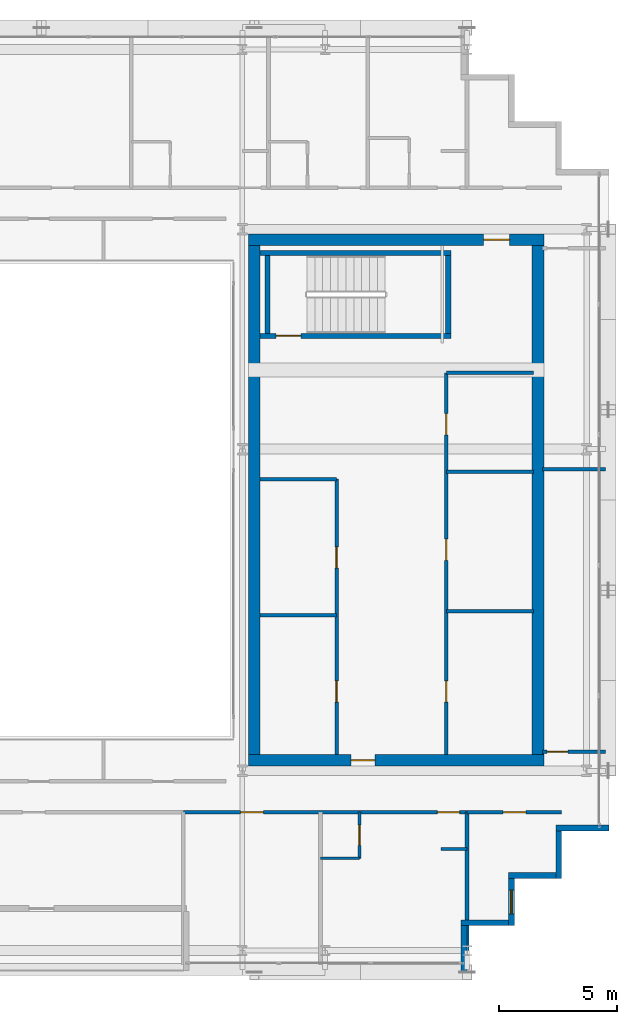
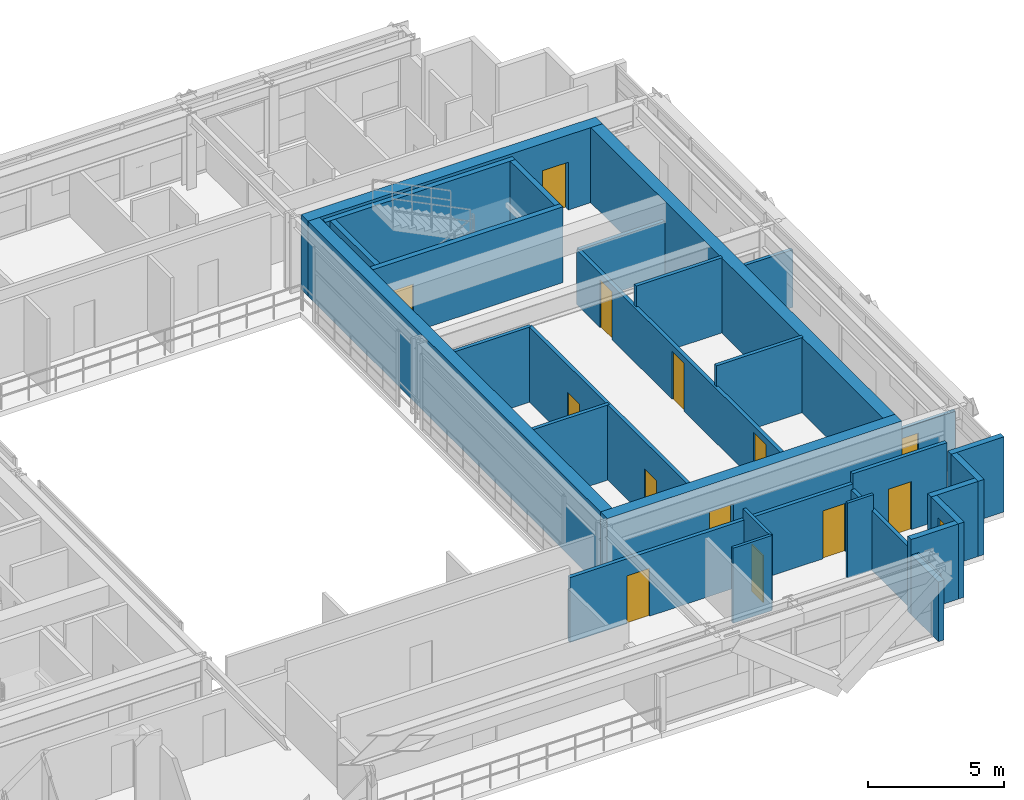
# One storey, part 31 of 37: 29 walls, 13 doors, 1 window, 14 openings.
"""IFC4 building model written with IfcOpenShell, lengths in metres."""

from ifc_helpers import new_model, si_unit, direction, frame, frame_2d, origin, place, context, subcontext, project, spatial, rectangle, extrude, source, transform, mapped, material, layer, layer_set, type_object, element, fill, save


model = new_model("IFC4")

# Units and contexts
model_context = context("Model", 3, precision=1e-05, world=origin(), true_north=direction((0.0, 1.0)))
body_context = subcontext(model_context, "Body", "Model", "MODEL_VIEW")
ifc_project = project(units=[si_unit("LENGTHUNIT", "METRE"), si_unit("AREAUNIT", "SQUARE_METRE"), si_unit("VOLUMEUNIT", "CUBIC_METRE"), si_unit("PLANEANGLEUNIT", "RADIAN"), si_unit("MASSUNIT", "GRAM", prefix="KILO")], contexts=[model_context])

# Site, building, storey
site_placement = place(None, origin())
site = spatial("IfcSite", under=ifc_project, at=site_placement, CompositionType="ELEMENT")
building_placement = place(site_placement, origin())
building = spatial("IfcBuilding", under=site, at=building_placement, Name="Ocotamira Hotel", CompositionType="ELEMENT")
storey_placement = place(building_placement, frame((0.0, 0.0, 192.0)))
storey = spatial("IfcBuildingStorey", under=building, at=storey_placement, Name="L48", CompositionType="ELEMENT", Elevation=192.0)

# Wall, opening, door
ifc_material_1 = material(Name="Concrete C50/60", Category="concrete")
ifc_layer_1 = layer(ifc_material_1, 0.5)
ifc_layer_set_1 = layer_set([ifc_layer_1], Name="Concrete C50/60")
wall_type_1 = type_object("IfcWallType", Name="WL-CORE-500", PredefinedType="SHEAR", material=ifc_layer_set_1)
wall_1_placement = place(storey_placement, frame((40.75, 15.0, 0.0), z_axis=(0.0, 0.0, 1.0), x_axis=(1.0, 0.0, 0.0)))
wall_1 = element("IfcWall", 1, at=wall_1_placement, inside=storey, type_object=wall_type_1, Name="L48 Shear Core Wall ECORE-S", PredefinedType="SHEAR", context=body_context, shape_type="SweptSolid", body=[
    extrude(rectangle(XDim=12.5, YDim=0.5, at=frame_2d((6.25, 0.0))), origin(), (0.0, 0.0, 1.0), 3.3701171875),
])
opening_1_placement = place(wall_1_placement, frame((4.35009765625, 0.0, 0.0)))
opening_1 = element("IfcOpeningElement", 2, at=opening_1_placement, cuts=wall_1, Name="Opening D-FR2", PredefinedType="OPENING", context=body_context, shape_type="SweptSolid", body=[
    extrude(rectangle(XDim=1.0, YDim=2.14990234375, at=frame_2d((0.5, 1.074951171875))), frame((0.0, 0.260009765625, 0.0), z_axis=(0.0, -1.0, 0.0), x_axis=(1.0, 0.0, 0.0)), (0.0, 0.0, 1.0), 0.52001953125),
])
ifc_material_2 = material(Name="Fire-rated acoustic timber-veneer door", Category="wood")
door_type_1 = type_object("IfcDoorType", Name="DR-FIRE-1000", OperationType="NOTDEFINED", PredefinedType="DOOR", material=ifc_material_2)
shared_shape_1 = source(origin(), body_context, "Body", "SweptSolid", [
    extrude(rectangle(XDim=1.0, YDim=2.14990234375, at=frame_2d((0.5, 1.074951171875))), frame((0.0, 0.02490234375, 0.0), z_axis=(0.0, -1.0, 0.0), x_axis=(1.0, 0.0, 0.0)), (0.0, 0.0, 1.0), 0.050048828125),
])
door_1_placement = place(opening_1_placement, origin())
door_1 = element("IfcDoor", 3, at=door_1_placement, inside=storey, type_object=door_type_1, Name="L48 Door ID-L48-ELOB-S-D [ID-L48-ELOB-S-D]", OperationType="SINGLE_SWING_RIGHT", OverallHeight=2.14990234375, OverallWidth=1.0, PredefinedType="DOOR", context=body_context, shape_type="MappedRepresentation", body=[
    mapped(shared_shape_1, transform((0.0, 0.0, 0.0), scale=1.0)),
])
fill(opening_1, door_1)

wall_2_placement = place(storey_placement, frame((40.75, 37.0, 0.0), z_axis=(0.0, 0.0, 1.0), x_axis=(1.0, 0.0, 0.0)))
wall_2 = element("IfcWall", 4, at=wall_2_placement, inside=storey, type_object=wall_type_1, Name="L48 Shear Core Wall ECORE-N", PredefinedType="SHEAR", context=body_context, shape_type="SweptSolid", body=[
    extrude(rectangle(XDim=12.5, YDim=0.5, at=frame_2d((6.25, 0.0))), origin(), (0.0, 0.0, 1.0), 3.3701171875),
])
opening_2_placement = place(wall_2_placement, frame((9.949951171875, 0.0, 0.0)))
opening_2 = element("IfcOpeningElement", 5, at=opening_2_placement, cuts=wall_2, Name="Opening D-FR1", PredefinedType="OPENING", context=body_context, shape_type="SweptSolid", body=[
    extrude(rectangle(XDim=1.10009765625, YDim=2.14990234375, at=frame_2d((0.550048828125, 1.074951171875))), frame((0.0, 0.260009765625, 0.0), z_axis=(0.0, -1.0, 0.0), x_axis=(1.0, 0.0, 0.0)), (0.0, 0.0, 1.0), 0.52001953125),
])
door_type_2 = type_object("IfcDoorType", Name="DR-FIRE-1100", OperationType="NOTDEFINED", PredefinedType="DOOR", material=ifc_material_2)
shared_shape_2 = source(origin(), body_context, "Body", "SweptSolid", [
    extrude(rectangle(XDim=1.10009765625, YDim=2.14990234375, at=frame_2d((0.550048828125, 1.074951171875))), frame((0.0, 0.02490234375, 0.0), z_axis=(0.0, -1.0, 0.0), x_axis=(1.0, 0.0, 0.0)), (0.0, 0.0, 1.0), 0.050048828125),
])
door_2_placement = place(opening_2_placement, origin())
door_2 = element("IfcDoor", 6, at=door_2_placement, inside=storey, type_object=door_type_2, Name="L48 Door ID-L48-ELOB-N-D [ID-L48-ELOB-N-D]", OperationType="SINGLE_SWING_LEFT", OverallHeight=2.14990234375, OverallWidth=1.10009765625, PredefinedType="DOOR", context=body_context, shape_type="MappedRepresentation", body=[
    mapped(shared_shape_2, transform((0.0, 0.0, 0.0), scale=1.0)),
])
fill(opening_2, door_2)

# Walls
for number, where, z_axis, x_axis, name in (
    (7, (41.0, 15.25, 0.0), (0.0, 0.0, 1.0), (0.0, 1.0, 0.0), "L48 Shear Core Wall ECORE-W"),
    (8, (53.0, 15.25, 0.0), (0.0, 0.0, 1.0), (0.0, 1.0, 0.0), "L48 Shear Core Wall ECORE-E"),
):
    element("IfcWall", number, at=place(storey_placement, frame(where, z_axis=z_axis, x_axis=x_axis)), inside=storey, type_object=wall_type_1, Name=name, PredefinedType="SHEAR", context=body_context, shape_type="SweptSolid", body=[
        extrude(rectangle(XDim=21.5, YDim=0.5, at=frame_2d((10.75, 0.0))), origin(), (0.0, 0.0, 1.0), 3.3701171875),
    ])
ifc_material_3 = material(Name="Precast concrete C45/55", Category="concrete")
ifc_layer_2 = layer(ifc_material_3, 0.25)
ifc_layer_set_2 = layer_set([ifc_layer_2], Name="Precast concrete C45/55")
wall_type_2 = type_object("IfcWallType", Name="WL-EXT-SER-250", PredefinedType="SOLIDWALL", material=ifc_layer_set_2)
wall_3_placement = place(storey_placement, frame((49.875, 6.0, 0.0), z_axis=(0.0, 0.0, 1.0), x_axis=(0.0, 1.0, 0.0)))
element("IfcWall", 9, at=wall_3_placement, inside=storey, type_object=wall_type_2, Name="L48 Serrated Corner Wall 01", PredefinedType="SOLIDWALL", context=body_context, shape_type="SweptSolid", body=[
    extrude(rectangle(XDim=2.0, YDim=0.25, at=frame_2d((1.0, 0.0))), origin(), (0.0, 0.0, 1.0), 2.677001953125),
])
wall_4_placement = place(storey_placement, frame((49.75, 8.125, 0.0), z_axis=(0.0, 0.0, 1.0), x_axis=(1.0, 0.0, 0.0)))
element("IfcWall", 10, at=wall_4_placement, inside=storey, type_object=wall_type_2, Name="L48 Serrated Corner Wall 02", PredefinedType="SOLIDWALL", context=body_context, shape_type="SweptSolid", body=[
    extrude(rectangle(XDim=2.0, YDim=0.25, at=frame_2d((1.0, 0.0))), origin(), (0.0, 0.0, 1.0), 3.3701171875),
])

# Wall, opening, window
wall_5_placement = place(storey_placement, frame((51.875, 8.0, 0.0), z_axis=(0.0, 0.0, 1.0), x_axis=(0.0, 1.0, 0.0)))
wall_5 = element("IfcWall", 11, at=wall_5_placement, inside=storey, type_object=wall_type_2, Name="L48 Serrated Corner Wall 03", PredefinedType="SOLIDWALL", context=body_context, shape_type="SweptSolid", body=[
    extrude(rectangle(XDim=2.0, YDim=0.25, at=frame_2d((1.0, 0.0))), origin(), (0.0, 0.0, 1.0), 3.3701171875),
])
opening_3_placement = place(wall_5_placement, frame((0.5, 0.0, 0.85009765625)))
opening_3 = element("IfcOpeningElement", 12, at=opening_3_placement, cuts=wall_5, Name="Opening WN-2", PredefinedType="OPENING", context=body_context, shape_type="SweptSolid", body=[
    extrude(rectangle(XDim=1.0, YDim=1.89990234375, at=frame_2d((0.5, 0.949951171875))), frame((0.0, 0.135009765625, 0.0), z_axis=(0.0, -1.0, 0.0), x_axis=(1.0, 0.0, 0.0)), (0.0, 0.0, 1.0), 0.27001953125),
])
ifc_material_4 = material(Name="Double-silver low-E solar glass", Category="glass")
window_type = type_object("IfcWindowType", Name="WIN-SER-1100", PartitioningType="SINGLE_PANEL", PredefinedType="WINDOW", material=ifc_material_4)
shared_shape_3 = source(origin(), body_context, "Body", "SweptSolid", [
    extrude(rectangle(XDim=1.0, YDim=1.89990234375, at=frame_2d((0.5, 0.949951171875))), frame((0.0, 0.030029296875, 0.0), z_axis=(0.0, -1.0, 0.0), x_axis=(1.0, 0.0, 0.0)), (0.0, 0.0, 1.0), 0.06005859375),
])
window_placement = place(opening_3_placement, origin())
window = element("IfcWindow", 13, at=window_placement, inside=storey, type_object=window_type, Name="L48 Serrated Corner Window 03", OverallHeight=1.89990234375, OverallWidth=1.0, PartitioningType="SINGLE_PANEL", PredefinedType="WINDOW", context=body_context, shape_type="MappedRepresentation", body=[
    mapped(shared_shape_3, transform((0.0, 0.0, 0.0), scale=1.0)),
])
fill(opening_3, window)

# Walls
for number, where, z_axis, x_axis, name in (
    (14, (51.75, 10.125, 0.0), (0.0, 0.0, 1.0), (1.0, 0.0, 0.0), "L48 Serrated Corner Wall 04"),
    (15, (53.875, 10.0, 0.0), (0.0, 0.0, 1.0), (0.0, 1.0, 0.0), "L48 Serrated Corner Wall 05"),
):
    element("IfcWall", number, at=place(storey_placement, frame(where, z_axis=z_axis, x_axis=x_axis)), inside=storey, type_object=wall_type_2, Name=name, PredefinedType="SOLIDWALL", context=body_context, shape_type="SweptSolid", body=[
        extrude(rectangle(XDim=2.0, YDim=0.25, at=frame_2d((1.0, 0.0))), origin(), (0.0, 0.0, 1.0), 3.3701171875),
    ])
wall_6_placement = place(storey_placement, frame((53.75, 12.125, 0.0), z_axis=(0.0, 0.0, 1.0), x_axis=(1.0, 0.0, 0.0)))
element("IfcWall", 16, at=wall_6_placement, inside=storey, type_object=wall_type_2, Name="L48 Serrated Corner Wall 06", PredefinedType="SOLIDWALL", context=body_context, shape_type="SweptSolid", body=[
    extrude(rectangle(XDim=2.25, YDim=0.25, at=frame_2d((1.125, 0.0))), origin(), (0.0, 0.0, 1.0), 3.3701171875),
])
ifc_material_5 = material(Name="Acoustic double-layer fire gypsum board partition", Category="gypsum")
ifc_layer_3 = layer(ifc_material_5, 0.159912109375)
ifc_layer_set_3 = layer_set([ifc_layer_3], Name="Acoustic double-layer fire gypsum board partition")
wall_type_3 = type_object("IfcWallType", Name="WL-FIRE-160", PredefinedType="PARTITIONING", material=ifc_layer_set_3)
wall_7_placement = place(storey_placement, frame((49.1201171875, 31.3798828125, 0.0), z_axis=(0.0, 0.0, 1.0), x_axis=(1.0, 0.0, 0.0)))
element("IfcWall", 17, at=wall_7_placement, inside=storey, type_object=wall_type_3, Name="L48 Interior Wall PW-L48-EC-FLOW-N", PredefinedType="PARTITIONING", context=body_context, shape_type="SweptSolid", body=[
    extrude(rectangle(XDim=3.679931640625, YDim=0.159912109375, at=frame_2d((1.83984375, 0.0))), origin(), (0.0, 0.0, 1.0), 2.469970703125),
])

# Wall, openings, doors
wall_8_placement = place(storey_placement, frame((49.1201171875, 15.25, 0.0), z_axis=(0.0, 0.0, 1.0), x_axis=(0.0, 1.0, 0.0)))
wall_8 = element("IfcWall", 18, at=wall_8_placement, inside=storey, type_object=wall_type_3, Name="L48 Interior Wall PW-L48-EC-FLOW-W", PredefinedType="PARTITIONING", context=body_context, shape_type="SweptSolid", body=[
    extrude(rectangle(XDim=16.1298828125, YDim=0.159912109375, at=frame_2d((8.06494140625, 0.0))), origin(), (0.0, 0.0, 1.0), 2.443115234375),
])
opening_4_placement = place(wall_8_placement, frame((2.199951171875, 0.0, 0.0)))
opening_4 = element("IfcOpeningElement", 19, at=opening_4_placement, cuts=wall_8, Name="Opening D-IN3", PredefinedType="OPENING", context=body_context, shape_type="SweptSolid", body=[
    extrude(rectangle(XDim=0.89990234375, YDim=2.14990234375, at=frame_2d((0.449951171875, 1.074951171875))), frame((0.0, 0.08984375, 0.0), z_axis=(0.0, -1.0, 0.0), x_axis=(1.0, 0.0, 0.0)), (0.0, 0.0, 1.0), 0.179931640625),
])
opening_5_placement = place(wall_8_placement, frame((8.199951171875, 0.0, 0.0)))
opening_5 = element("IfcOpeningElement", 20, at=opening_5_placement, cuts=wall_8, Name="Opening D-IN3", PredefinedType="OPENING", context=body_context, shape_type="SweptSolid", body=[
    extrude(rectangle(XDim=0.89990234375, YDim=2.14990234375, at=frame_2d((0.449951171875, 1.074951171875))), frame((0.0, 0.08984375, 0.0), z_axis=(0.0, -1.0, 0.0), x_axis=(1.0, 0.0, 0.0)), (0.0, 0.0, 1.0), 0.179931640625),
])
opening_6_placement = place(wall_8_placement, frame((13.5, 0.0, 0.0)))
opening_6 = element("IfcOpeningElement", 21, at=opening_6_placement, cuts=wall_8, Name="Opening D-IN3", PredefinedType="OPENING", context=body_context, shape_type="SweptSolid", body=[
    extrude(rectangle(XDim=0.89990234375, YDim=2.14990234375, at=frame_2d((0.449951171875, 1.074951171875))), frame((0.0, 0.08984375, 0.0), z_axis=(0.0, -1.0, 0.0), x_axis=(1.0, 0.0, 0.0)), (0.0, 0.0, 1.0), 0.179931640625),
])
ifc_material_6 = material(Name="Painted service room door", Category="steel")
door_type_3 = type_object("IfcDoorType", Name="DR-INT-900", OperationType="NOTDEFINED", PredefinedType="DOOR", material=ifc_material_6)
shared_shape_4 = source(origin(), body_context, "Body", "SweptSolid", [
    extrude(rectangle(XDim=0.89990234375, YDim=2.14990234375, at=frame_2d((0.449951171875, 1.074951171875))), frame((0.0, 0.02490234375, 0.0), z_axis=(0.0, -1.0, 0.0), x_axis=(1.0, 0.0, 0.0)), (0.0, 0.0, 1.0), 0.050048828125),
])
door_3_placement = place(opening_4_placement, origin())
door_3 = element("IfcDoor", 22, at=door_3_placement, inside=storey, type_object=door_type_3, Name="L48 Door ID-L48-EC-FLOW-D1 [ID-L48-EC-FLOW-D1]", OperationType="SINGLE_SWING_LEFT", OverallHeight=2.14990234375, OverallWidth=0.89990234375, PredefinedType="DOOR", context=body_context, shape_type="MappedRepresentation", body=[
    mapped(shared_shape_4, transform((0.0, 0.0, 0.0), scale=1.0)),
])
fill(opening_4, door_3)
door_4_placement = place(opening_5_placement, origin())
door_4 = element("IfcDoor", 23, at=door_4_placement, inside=storey, type_object=door_type_3, Name="L48 Door ID-L48-EC-FLOW-D2 [ID-L48-EC-FLOW-D2]", OperationType="SINGLE_SWING_RIGHT", OverallHeight=2.14990234375, OverallWidth=0.89990234375, PredefinedType="DOOR", context=body_context, shape_type="MappedRepresentation", body=[
    mapped(shared_shape_4, transform((0.0, 0.0, 0.0), scale=1.0)),
])
fill(opening_5, door_4)
door_5_placement = place(opening_6_placement, origin())
door_5 = element("IfcDoor", 24, at=door_5_placement, inside=storey, type_object=door_type_3, Name="L48 Door ID-L48-EC-FLOW-D3 [ID-L48-EC-FLOW-D3]", OperationType="SINGLE_SWING_LEFT", OverallHeight=2.14990234375, OverallWidth=0.89990234375, PredefinedType="DOOR", context=body_context, shape_type="MappedRepresentation", body=[
    mapped(shared_shape_4, transform((0.0, 0.0, 0.0), scale=1.0)),
])
fill(opening_6, door_5)

# Wall, opening, door
wall_9_placement = place(storey_placement, frame((50.0, 12.800048828125, 0.0), z_axis=(0.0, 0.0, 1.0), x_axis=(1.0, 0.0, 0.0)))
wall_9 = element("IfcWall", 25, at=wall_9_placement, inside=storey, type_object=wall_type_3, Name="L48 Interior Wall PW-L48-Z3C-CSE-CW", PredefinedType="PARTITIONING", context=body_context, shape_type="SweptSolid", body=[
    extrude(rectangle(XDim=4.0, YDim=0.159912109375, at=frame_2d((2.0, 0.0))), origin(), (0.0, 0.0, 1.0), 3.3701171875),
])
opening_7_placement = place(wall_9_placement, frame((1.52001953125, 0.0, 0.0)))
opening_7 = element("IfcOpeningElement", 26, at=opening_7_placement, cuts=wall_9, Name="Opening D-SV4", PredefinedType="OPENING", context=body_context, shape_type="SweptSolid", body=[
    extrude(rectangle(XDim=0.9599609375, YDim=2.14990234375, at=frame_2d((0.47998046875, 1.074951171875))), frame((0.0, 0.08984375, 0.0), z_axis=(0.0, -1.0, 0.0), x_axis=(1.0, 0.0, 0.0)), (0.0, 0.0, 1.0), 0.179931640625),
])
ifc_material_7 = material(Name="Fire-rated accessible walnut salon door", Category="wood")
door_type_4 = type_object("IfcDoorType", Name="DR-SERV-960", OperationType="NOTDEFINED", PredefinedType="DOOR", material=ifc_material_7)
shared_shape_5 = source(origin(), body_context, "Body", "SweptSolid", [
    extrude(rectangle(XDim=0.9599609375, YDim=2.14990234375, at=frame_2d((0.47998046875, 1.074951171875))), frame((0.0, 0.02490234375, 0.0), z_axis=(0.0, -1.0, 0.0), x_axis=(1.0, 0.0, 0.0)), (0.0, 0.0, 1.0), 0.050048828125),
])
door_6_placement = place(opening_7_placement, origin())
door_6 = element("IfcDoor", 27, at=door_6_placement, inside=storey, type_object=door_type_4, Name="L48 Door ID-L48-Z3C-CSE-CD [ID-L48-Z3C-CSE-CD]", OperationType="SINGLE_SWING_LEFT", OverallHeight=2.14990234375, OverallWidth=0.9599609375, PredefinedType="DOOR", context=body_context, shape_type="MappedRepresentation", body=[
    mapped(shared_shape_5, transform((0.0, 0.0, 0.0), scale=1.0)),
])
fill(opening_7, door_6)

# Wall, openings, doors
wall_10_placement = place(storey_placement, frame((38.0, 12.800048828125, 0.0), z_axis=(0.0, 0.0, 1.0), x_axis=(1.0, 0.0, 0.0)))
wall_10 = element("IfcWall", 28, at=wall_10_placement, inside=storey, type_object=wall_type_3, Name="L48 Interior Wall PW-L48-Z3CSE-CORRW", PredefinedType="PARTITIONING", context=body_context, shape_type="SweptSolid", body=[
    extrude(rectangle(XDim=12.0, YDim=0.159912109375, at=frame_2d((6.0, 0.0))), origin(), (0.0, 0.0, 1.0), 2.9130859375),
])
opening_8_placement = place(wall_10_placement, frame((2.419921875, 0.0, 0.0)))
opening_8 = element("IfcOpeningElement", 29, at=opening_8_placement, cuts=wall_10, Name="Opening D-SV4", PredefinedType="OPENING", context=body_context, shape_type="SweptSolid", body=[
    extrude(rectangle(XDim=0.9599609375, YDim=2.14990234375, at=frame_2d((0.47998046875, 1.074951171875))), frame((0.0, 0.08984375, 0.0), z_axis=(0.0, -1.0, 0.0), x_axis=(1.0, 0.0, 0.0)), (0.0, 0.0, 1.0), 0.179931640625),
])
opening_9_placement = place(wall_10_placement, frame((10.739990234375, 0.0, 0.0)))
opening_9 = element("IfcOpeningElement", 30, at=opening_9_placement, cuts=wall_10, Name="Opening D-GR1", PredefinedType="OPENING", context=body_context, shape_type="SweptSolid", body=[
    extrude(rectangle(XDim=0.93994140625, YDim=2.14990234375, at=frame_2d((0.469970703125, 1.074951171875))), frame((0.0, 0.08984375, 0.0), z_axis=(0.0, -1.0, 0.0), x_axis=(1.0, 0.0, 0.0)), (0.0, 0.0, 1.0), 0.179931640625),
])
door_7_placement = place(opening_8_placement, origin())
door_7 = element("IfcDoor", 31, at=door_7_placement, inside=storey, type_object=door_type_4, Name="L48 Door ID-L48-Z3CSE-AMD1 [ID-L48-Z3CSE-AMD1]", OperationType="SINGLE_SWING_LEFT", OverallHeight=2.14990234375, OverallWidth=0.9599609375, PredefinedType="DOOR", context=body_context, shape_type="MappedRepresentation", body=[
    mapped(shared_shape_5, transform((0.0, 0.0, 0.0), scale=1.0)),
])
fill(opening_8, door_7)
ifc_material_8 = material(Name="Solid-core walnut suite entrance fire door", Category="wood")
door_type_5 = type_object("IfcDoorType", Name="DR-GUEST-940", OperationType="NOTDEFINED", PredefinedType="DOOR", material=ifc_material_8)
shared_shape_6 = source(origin(), body_context, "Body", "SweptSolid", [
    extrude(rectangle(XDim=0.93994140625, YDim=2.14990234375, at=frame_2d((0.469970703125, 1.074951171875))), frame((0.0, 0.02490234375, 0.0), z_axis=(0.0, -1.0, 0.0), x_axis=(1.0, 0.0, 0.0)), (0.0, 0.0, 1.0), 0.050048828125),
])
door_8_placement = place(opening_9_placement, origin())
door_8 = element("IfcDoor", 32, at=door_8_placement, inside=storey, type_object=door_type_5, Name="L48 Door ID-L48-Z3CSE-RMD2 [ID-L48-Z3CSE-RMD2]", OperationType="SINGLE_SWING_RIGHT", OverallHeight=2.14990234375, OverallWidth=0.93994140625, PredefinedType="DOOR", context=body_context, shape_type="MappedRepresentation", body=[
    mapped(shared_shape_6, transform((0.0, 0.0, 0.0), scale=1.0)),
])
fill(opening_9, door_8)

# Wall, opening, door
ifc_material_9 = material(Name="Moisture-resistant en-suite tile and gypsum partition", Category="gypsum")
ifc_layer_4 = layer(ifc_material_9, 0.1201171875)
ifc_layer_set_4 = layer_set([ifc_layer_4], Name="Moisture-resistant en-suite tile and gypsum partition")
wall_type_4 = type_object("IfcWallType", Name="WL-PART-120", PredefinedType="PARTITIONING", material=ifc_layer_set_4)
wall_11_placement = place(storey_placement, frame((45.449951171875, 10.85009765625, 0.0), z_axis=(0.0, 0.0, 1.0), x_axis=(0.0, 1.0, 0.0)))
wall_11 = element("IfcWall", 33, at=wall_11_placement, inside=storey, type_object=wall_type_4, Name="L48 Interior Wall PW-L48-Z3CSE-BAE2", PredefinedType="PARTITIONING", context=body_context, shape_type="SweptSolid", body=[
    extrude(rectangle(XDim=1.949951171875, YDim=0.1201171875, at=frame_2d((0.97509765625, 0.0))), origin(), (0.0, 0.0, 1.0), 3.3701171875),
])
opening_10_placement = place(wall_11_placement, frame((0.544921875, 0.0, 0.0)))
opening_10 = element("IfcOpeningElement", 34, at=opening_10_placement, cuts=wall_11, Name="Opening D-BA1", PredefinedType="OPENING", context=body_context, shape_type="SweptSolid", body=[
    extrude(rectangle(XDim=0.860107421875, YDim=2.10009765625, at=frame_2d((0.43017578125, 1.050048828125))), frame((0.0, 0.070068359375, 0.0), z_axis=(0.0, -1.0, 0.0), x_axis=(1.0, 0.0, 0.0)), (0.0, 0.0, 1.0), 0.14013671875),
])
ifc_material_10 = material(Name="Moisture-sealed en-suite timber door", Category="wood")
door_type_6 = type_object("IfcDoorType", Name="DR-BATH-860", OperationType="NOTDEFINED", PredefinedType="DOOR", material=ifc_material_10)
shared_shape_7 = source(origin(), body_context, "Body", "SweptSolid", [
    extrude(rectangle(XDim=0.860107421875, YDim=2.10009765625, at=frame_2d((0.43017578125, 1.050048828125))), frame((0.0, 0.02490234375, 0.0), z_axis=(0.0, -1.0, 0.0), x_axis=(1.0, 0.0, 0.0)), (0.0, 0.0, 1.0), 0.050048828125),
])
door_9_placement = place(opening_10_placement, origin())
door_9 = element("IfcDoor", 35, at=door_9_placement, inside=storey, type_object=door_type_6, Name="L48 Door ID-L48-Z3CSE-BAD2 [ID-L48-Z3CSE-BAD2]", OperationType="SINGLE_SWING_LEFT", OverallHeight=2.10009765625, OverallWidth=0.860107421875, PredefinedType="DOOR", context=body_context, shape_type="MappedRepresentation", body=[
    mapped(shared_shape_7, transform((0.0, 0.0, 0.0), scale=1.0)),
])
fill(opening_10, door_9)

# Walls
wall_12_placement = place(storey_placement, frame((43.800048828125, 10.85009765625, 0.0), z_axis=(0.0, 0.0, 1.0), x_axis=(1.0, 0.0, 0.0)))
element("IfcWall", 36, at=wall_12_placement, inside=storey, type_object=wall_type_4, Name="L48 Interior Wall PW-L48-Z3CSE-BAS2", PredefinedType="PARTITIONING", context=body_context, shape_type="SweptSolid", body=[
    extrude(rectangle(XDim=1.64990234375, YDim=0.1201171875, at=frame_2d((0.824951171875, 0.0))), origin(), (0.0, 0.0, 1.0), 3.3701171875),
])
wall_13_placement = place(storey_placement, frame((48.89990234375, 11.25, 0.0), z_axis=(0.0, 0.0, 1.0), x_axis=(1.0, 0.0, 0.0)))
element("IfcWall", 37, at=wall_13_placement, inside=storey, type_object=wall_type_4, Name="L48 Interior Wall PW-L48-Z3CSE-DRN2", PredefinedType="PARTITIONING", context=body_context, shape_type="SweptSolid", body=[
    extrude(rectangle(XDim=1.10009765625, YDim=0.1201171875, at=frame_2d((0.550048828125, 0.0))), origin(), (0.0, 0.0, 1.0), 3.3701171875),
])
ifc_material_11 = material(Name="Acoustic hospitality gypsum board partition", Category="gypsum")
ifc_layer_5 = layer(ifc_material_11, 0.14208984375)
ifc_layer_set_5 = layer_set([ifc_layer_5], Name="Acoustic hospitality gypsum board partition")
wall_type_5 = type_object("IfcWallType", Name="WL-PART-142", PredefinedType="PARTITIONING", material=ifc_layer_set_5)
wall_14_placement = place(storey_placement, frame((53.179931640625, 27.300048828125, 0.0), z_axis=(0.0, 0.0, 1.0), x_axis=(1.0, 0.0, 0.0)))
element("IfcWall", 38, at=wall_14_placement, inside=storey, type_object=wall_type_5, Name="L48 Interior Wall PW-L48-Z3C-EF-DV1", PredefinedType="PARTITIONING", context=body_context, shape_type="SweptSolid", body=[
    extrude(rectangle(XDim=2.66015625, YDim=0.14208984375, at=frame_2d((1.330078125, 0.0))), origin(), (0.0, 0.0, 1.0), 2.591064453125),
])
ifc_layer_6 = layer(ifc_material_11, 0.14990234375)
ifc_layer_set_6 = layer_set([ifc_layer_6], Name="Acoustic hospitality gypsum board partition")
wall_type_6 = type_object("IfcWallType", Name="WL-PART-150", PredefinedType="PARTITIONING", material=ifc_layer_set_6)
for number, where, z_axis, x_axis, name in (
    (39, (49.1201171875, 21.2900390625, 0.0), (0.0, 0.0, 1.0), (1.0, 0.0, 0.0), "L48 Interior Wall PW-L48-EC-FDIV1"),
    (40, (49.1201171875, 27.18994140625, 0.0), (0.0, 0.0, 1.0), (1.0, 0.0, 0.0), "L48 Interior Wall PW-L48-EC-FDIV2"),
):
    element("IfcWall", number, at=place(storey_placement, frame(where, z_axis=z_axis, x_axis=x_axis)), inside=storey, type_object=wall_type_6, Name=name, PredefinedType="PARTITIONING", context=body_context, shape_type="SweptSolid", body=[
        extrude(rectangle(XDim=3.679931640625, YDim=0.14990234375, at=frame_2d((1.83984375, 0.0))), origin(), (0.0, 0.0, 1.0), 3.3701171875),
    ])
for number, where, z_axis, x_axis, name in (
    (41, (41.25, 26.8798828125, 0.0), (0.0, 0.0, 1.0), (1.0, 0.0, 0.0), "L48 Interior Wall PW-L48-EC-FMID-N"),
    (42, (41.25, 21.1201171875, 0.0), (0.0, 0.0, 1.0), (1.0, 0.0, 0.0), "L48 Interior Wall PW-L48-EC-FMID-DIV"),
):
    element("IfcWall", number, at=place(storey_placement, frame(where, z_axis=z_axis, x_axis=x_axis)), inside=storey, type_object=wall_type_6, Name=name, PredefinedType="PARTITIONING", context=body_context, shape_type="SweptSolid", body=[
        extrude(rectangle(XDim=3.22998046875, YDim=0.14990234375, at=frame_2d((1.614990234375, 0.0))), origin(), (0.0, 0.0, 1.0), 3.3701171875),
    ])

# Wall, openings, doors
wall_15_placement = place(storey_placement, frame((44.47998046875, 15.25, 0.0), z_axis=(0.0, 0.0, 1.0), x_axis=(0.0, 1.0, 0.0)))
wall_15 = element("IfcWall", 43, at=wall_15_placement, inside=storey, type_object=wall_type_6, Name="L48 Interior Wall PW-L48-EC-FMID-E", PredefinedType="PARTITIONING", context=body_context, shape_type="SweptSolid", body=[
    extrude(rectangle(XDim=11.6298828125, YDim=0.14990234375, at=frame_2d((5.81494140625, 0.0))), origin(), (0.0, 0.0, 1.0), 3.3701171875),
])
opening_11_placement = place(wall_15_placement, frame((2.199951171875, 0.0, 0.0)))
opening_11 = element("IfcOpeningElement", 44, at=opening_11_placement, cuts=wall_15, Name="Opening D-IN3", PredefinedType="OPENING", context=body_context, shape_type="SweptSolid", body=[
    extrude(rectangle(XDim=0.89990234375, YDim=2.14990234375, at=frame_2d((0.449951171875, 1.074951171875))), frame((0.0, 0.0849609375, 0.0), z_axis=(0.0, -1.0, 0.0), x_axis=(1.0, 0.0, 0.0)), (0.0, 0.0, 1.0), 0.169921875),
])
opening_12_placement = place(wall_15_placement, frame((7.8701171875, 0.0, 0.0)))
opening_12 = element("IfcOpeningElement", 45, at=opening_12_placement, cuts=wall_15, Name="Opening D-IN3", PredefinedType="OPENING", context=body_context, shape_type="SweptSolid", body=[
    extrude(rectangle(XDim=0.89990234375, YDim=2.14990234375, at=frame_2d((0.449951171875, 1.074951171875))), frame((0.0, 0.0849609375, 0.0), z_axis=(0.0, -1.0, 0.0), x_axis=(1.0, 0.0, 0.0)), (0.0, 0.0, 1.0), 0.169921875),
])
door_10_placement = place(opening_11_placement, origin())
door_10 = element("IfcDoor", 46, at=door_10_placement, inside=storey, type_object=door_type_3, Name="L48 Door ID-L48-EC-FMID-D1 [ID-L48-EC-FMID-D1]", OperationType="SINGLE_SWING_RIGHT", OverallHeight=2.14990234375, OverallWidth=0.89990234375, PredefinedType="DOOR", context=body_context, shape_type="MappedRepresentation", body=[
    mapped(shared_shape_4, transform((0.0, 0.0, 0.0), scale=1.0)),
])
fill(opening_11, door_10)
door_11_placement = place(opening_12_placement, origin())
door_11 = element("IfcDoor", 47, at=door_11_placement, inside=storey, type_object=door_type_3, Name="L48 Door ID-L48-EC-FMID-D2 [ID-L48-EC-FMID-D2]", OperationType="SINGLE_SWING_LEFT", OverallHeight=2.14990234375, OverallWidth=0.89990234375, PredefinedType="DOOR", context=body_context, shape_type="MappedRepresentation", body=[
    mapped(shared_shape_4, transform((0.0, 0.0, 0.0), scale=1.0)),
])
fill(opening_12, door_11)

# Wall, opening, door
wall_16_placement = place(storey_placement, frame((53.179931640625, 15.360107421875, 0.0), z_axis=(0.0, 0.0, 1.0), x_axis=(1.0, 0.0, 0.0)))
wall_16 = element("IfcWall", 48, at=wall_16_placement, inside=storey, type_object=wall_type_6, Name="L48 Interior Wall PW-L48-Z3C-EF-WS", PredefinedType="PARTITIONING", context=body_context, shape_type="SweptSolid", body=[
    extrude(rectangle(XDim=2.66015625, YDim=0.14990234375, at=frame_2d((1.330078125, 0.0))), origin(), (0.0, 0.0, 1.0), 2.591064453125),
])
opening_13_placement = place(wall_16_placement, frame((0.199951171875, 0.0, 0.0)))
opening_13 = element("IfcOpeningElement", 49, at=opening_13_placement, cuts=wall_16, Name="Opening D-SV2", PredefinedType="OPENING", context=body_context, shape_type="SweptSolid", body=[
    extrude(rectangle(XDim=0.8798828125, YDim=2.14990234375, at=frame_2d((0.43994140625, 1.074951171875))), frame((0.0, 0.0849609375, 0.0), z_axis=(0.0, -1.0, 0.0), x_axis=(1.0, 0.0, 0.0)), (0.0, 0.0, 1.0), 0.169921875),
])
ifc_material_12 = material(Name="Fire-rated painted steel service door", Category="steel")
door_type_7 = type_object("IfcDoorType", Name="DR-SERV-880", OperationType="NOTDEFINED", PredefinedType="DOOR", material=ifc_material_12)
shared_shape_8 = source(origin(), body_context, "Body", "SweptSolid", [
    extrude(rectangle(XDim=0.8798828125, YDim=2.14990234375, at=frame_2d((0.43994140625, 1.074951171875))), frame((0.0, 0.02490234375, 0.0), z_axis=(0.0, -1.0, 0.0), x_axis=(1.0, 0.0, 0.0)), (0.0, 0.0, 1.0), 0.050048828125),
])
door_12_placement = place(opening_13_placement, origin())
door_12 = element("IfcDoor", 50, at=door_12_placement, inside=storey, type_object=door_type_7, Name="L48 Door ID-L48-Z3C-EF-DS [ID-L48-Z3C-EF-DS]", OperationType="SINGLE_SWING_RIGHT", OverallHeight=2.14990234375, OverallWidth=0.8798828125, PredefinedType="DOOR", context=body_context, shape_type="MappedRepresentation", body=[
    mapped(shared_shape_8, transform((0.0, 0.0, 0.0), scale=1.0)),
])
fill(opening_13, door_12)

# Wall
ifc_material_13 = material(Name="Acoustic double-stud hospitality gypsum partition", Category="gypsum")
ifc_layer_7 = layer(ifc_material_13, 0.159912109375)
ifc_layer_set_7 = layer_set([ifc_layer_7], Name="Acoustic double-stud hospitality gypsum partition")
wall_type_7 = type_object("IfcWallType", Name="WL-PART-160", PredefinedType="PARTITIONING", material=ifc_layer_set_7)
wall_17_placement = place(storey_placement, frame((50.0, 6.360107421875, 0.0), z_axis=(0.0, 0.0, 1.0), x_axis=(0.0, 1.0, 0.0)))
element("IfcWall", 51, at=wall_17_placement, inside=storey, type_object=wall_type_7, Name="L48 Interior Wall PW-L48-Z3CSE-PWEND", PredefinedType="PARTITIONING", context=body_context, shape_type="SweptSolid", body=[
    extrude(rectangle(XDim=6.43994140625, YDim=0.159912109375, at=frame_2d((3.219970703125, 0.0))), origin(), (0.0, 0.0, 1.0), 2.677001953125),
])

# Wall, opening, door
ifc_layer_8 = layer(ifc_material_1, 0.219970703125)
ifc_layer_set_8 = layer_set([ifc_layer_8], Name="Concrete C50/60")
wall_type_8 = type_object("IfcWallType", Name="WL-STAIR-220", PredefinedType="SHEAR", material=ifc_layer_set_8)
wall_18_placement = place(storey_placement, frame((41.25, 32.93994140625, 0.0), z_axis=(0.0, 0.0, 1.0), x_axis=(1.0, 0.0, 0.0)))
wall_18 = element("IfcWall", 52, at=wall_18_placement, inside=storey, type_object=wall_type_8, Name="L48 Stair Shaft Structural Wall ST-4-S", PredefinedType="SHEAR", context=body_context, shape_type="SweptSolid", body=[
    extrude(rectangle(XDim=8.06005859375, YDim=0.219970703125, at=frame_2d((4.030029296875, 0.0))), origin(), (0.0, 0.0, 1.0), 3.39990234375),
])
opening_14_placement = place(wall_18_placement, frame((0.669921875, 0.0, 0.0)))
opening_14 = element("IfcOpeningElement", 53, at=opening_14_placement, cuts=wall_18, Name="Opening D-ST2", PredefinedType="OPENING", context=body_context, shape_type="SweptSolid", body=[
    extrude(rectangle(XDim=1.050048828125, YDim=2.14990234375, at=frame_2d((0.52490234375, 1.074951171875))), frame((0.0, 0.1201171875, 0.0), z_axis=(0.0, -1.0, 0.0), x_axis=(1.0, 0.0, 0.0)), (0.0, 0.0, 1.0), 0.239990234375),
])
ifc_material_14 = material(Name="Insulated painted hollow-metal fire exit door", Category="steel")
door_type_8 = type_object("IfcDoorType", Name="DR-STAIR-1050", OperationType="NOTDEFINED", PredefinedType="DOOR", material=ifc_material_14)
shared_shape_9 = source(origin(), body_context, "Body", "SweptSolid", [
    extrude(rectangle(XDim=1.050048828125, YDim=2.14990234375, at=frame_2d((0.52490234375, 1.074951171875))), frame((0.0, 0.02490234375, 0.0), z_axis=(0.0, -1.0, 0.0), x_axis=(1.0, 0.0, 0.0)), (0.0, 0.0, 1.0), 0.050048828125),
])
door_13_placement = place(opening_14_placement, origin())
door_13 = element("IfcDoor", 54, at=door_13_placement, inside=storey, type_object=door_type_8, Name="L48 Door ID-L48-STD-ST-4 [ID-L48-STD-ST-4]", OperationType="SINGLE_SWING_RIGHT", OverallHeight=2.14990234375, OverallWidth=1.050048828125, PredefinedType="DOOR", context=body_context, shape_type="MappedRepresentation", body=[
    mapped(shared_shape_9, transform((0.0, 0.0, 0.0), scale=1.0)),
])
fill(opening_14, door_13)

# Walls
wall_19_placement = place(storey_placement, frame((41.25, 36.43994140625, 0.0), z_axis=(0.0, 0.0, 1.0), x_axis=(1.0, 0.0, 0.0)))
element("IfcWall", 55, at=wall_19_placement, inside=storey, type_object=wall_type_8, Name="L48 Stair Shaft Structural Wall ST-4-N", PredefinedType="SHEAR", context=body_context, shape_type="SweptSolid", body=[
    extrude(rectangle(XDim=8.06005859375, YDim=0.219970703125, at=frame_2d((4.030029296875, 0.0))), origin(), (0.0, 0.0, 1.0), 3.39990234375),
])
for number, where, z_axis, x_axis, name in (
    (56, (41.56005859375, 33.050048828125, 0.0), (0.0, 0.0, 1.0), (0.0, 1.0, 0.0), "L48 Stair Shaft Structural Wall ST-4-W"),
    (57, (49.199951171875, 33.050048828125, 0.0), (0.0, 0.0, 1.0), (0.0, 1.0, 0.0), "L48 Stair Shaft Structural Wall ST-4-E"),
):
    element("IfcWall", number, at=place(storey_placement, frame(where, z_axis=z_axis, x_axis=x_axis)), inside=storey, type_object=wall_type_8, Name=name, PredefinedType="SHEAR", context=body_context, shape_type="SweptSolid", body=[
        extrude(rectangle(XDim=3.280029296875, YDim=0.219970703125, at=frame_2d((1.64013671875, 0.0))), origin(), (0.0, 0.0, 1.0), 3.39990234375),
    ])

save(model, "model.ifc")
